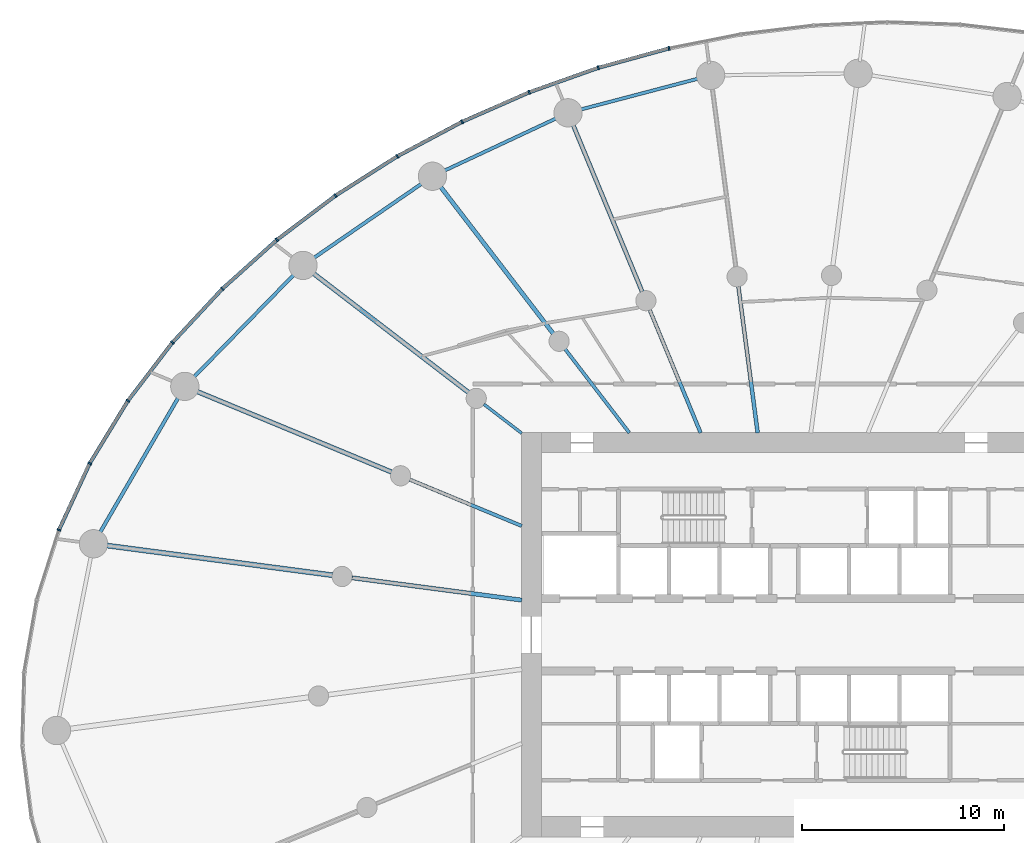
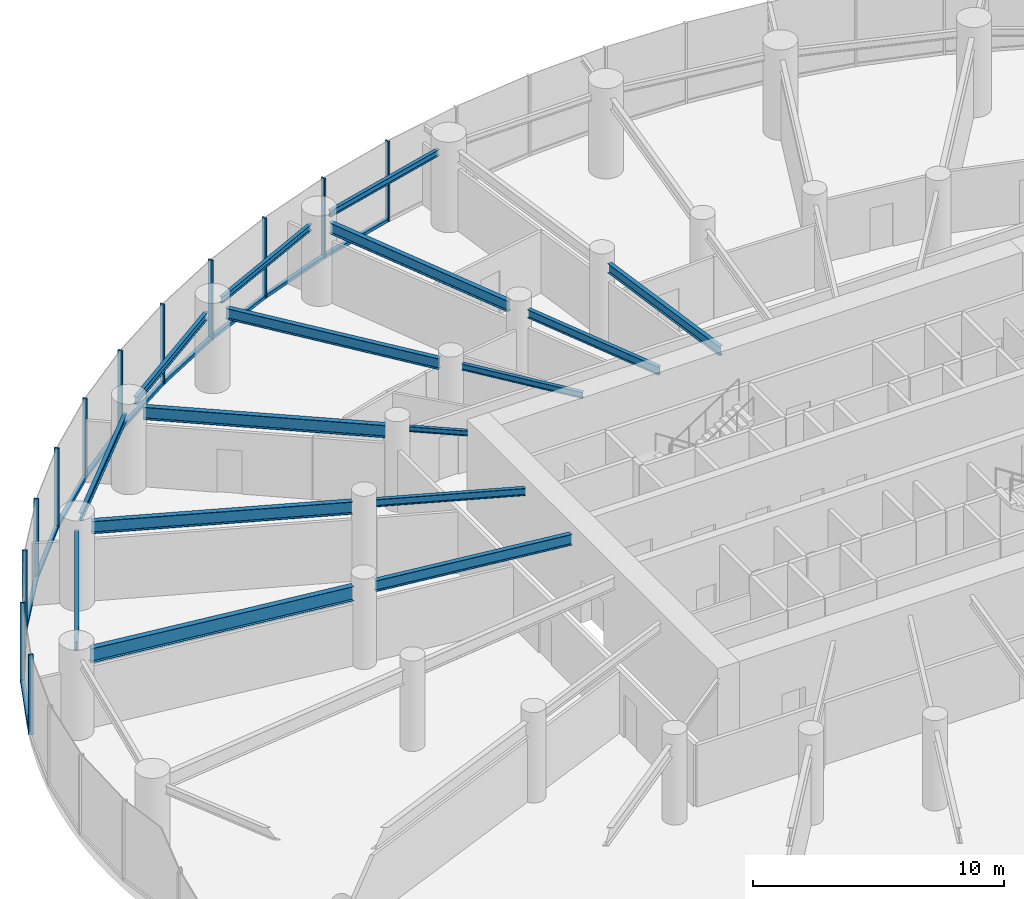
# One storey, part 6 of 18: 23 members, 16 beams, 3 elements without a shape of their own.
"""IFC4 building model written with IfcOpenShell, lengths in metres."""

from ifc_helpers import new_model, si_unit, direction, frame, origin, origin_2d, place, context, subcontext, project, spatial, rectangle, i_section, extrude, source, transform, mapped, material, layer, layer_set, material_profile, profile_set, type_object, element, aggregate, save


model = new_model("IFC4")

# Units and contexts
model_context = context("Model", 3, precision=1e-05, world=origin(), true_north=direction((0.0, 1.0)))
body_context = subcontext(model_context, "Body", "Model", "MODEL_VIEW")
ifc_project = project(units=[si_unit("LENGTHUNIT", "METRE"), si_unit("AREAUNIT", "SQUARE_METRE"), si_unit("VOLUMEUNIT", "CUBIC_METRE"), si_unit("PLANEANGLEUNIT", "RADIAN"), si_unit("MASSUNIT", "GRAM", prefix="KILO")], contexts=[model_context])

# Site, building, storey
site_placement = place(None, origin())
site = spatial("IfcSite", under=ifc_project, at=site_placement, CompositionType="ELEMENT")
building_placement = place(site_placement, origin())
building = spatial("IfcBuilding", under=site, at=building_placement, Name="Spindrift Exchange Tower", CompositionType="ELEMENT")
storey_placement = place(building_placement, frame((0.0, 0.0, 71.0)))
storey = spatial("IfcBuildingStorey", under=building, at=storey_placement, Name="L16", CompositionType="ELEMENT", Elevation=71.0)

# Beams
ifc_material_1 = material(Name="Steel Grade 300", Category="steel")
ifc_material_profile_1 = material_profile(ifc_material_1, i_section(OverallWidth=0.18994140625, OverallDepth=0.45703125, WebThickness=0.009033203125, FlangeThickness=0.014404296875, FilletRadius=0.013916015625, at=origin_2d()), Name="460UB74.6")
ifc_profile_set_1 = profile_set([ifc_material_profile_1], Name="Steel Grade 300")
beam_type_1 = type_object("IfcBeamType", Name="Floor Beam 460UB74.6 Steel Grade 300", PredefinedType="BEAM", material=ifc_profile_set_1)
shared_shape_1 = source(origin(), body_context, "Body", "SweptSolid", [
    extrude(i_section(OverallWidth=0.18994140625, OverallDepth=0.45703125, WebThickness=0.009033203125, FlangeThickness=0.014404296875, FilletRadius=0.013916015625, at=origin_2d()), origin(), (0.0, 0.0, 1.0), 7.3095703125),
])
beam_1_placement = place(storey_placement, frame((50.68603515625, 57.980224609375, 3.67138671875), z_axis=(-0.130527087244, 0.991444743541, 0.0), x_axis=(-0.991444743541, -0.130527087244, 0.0)))
element("IfcBeam", 1, at=beam_1_placement, inside=storey, type_object=beam_type_1, Name="L16 radial beam R07A", PredefinedType="BEAM", context=body_context, shape_type="MappedRepresentation", body=[
    mapped(shared_shape_1, transform((0.0, 0.0, 0.0), scale=1.0)),
])
ifc_material_profile_2 = material_profile(ifc_material_1, i_section(OverallWidth=0.177978515625, OverallDepth=0.406005859375, WebThickness=0.0078125, FlangeThickness=0.0126953125, FilletRadius=0.013916015625, at=origin_2d()), Name="410UB59.7")
ifc_profile_set_2 = profile_set([ifc_material_profile_2], Name="Steel Grade 300")
beam_type_2 = type_object("IfcBeamType", Name="Floor Beam 410UB59.7 Steel Grade 300", PredefinedType="BEAM", material=ifc_profile_set_2)
shared_shape_2 = source(origin(), body_context, "Body", "SweptSolid", [
    extrude(i_section(OverallWidth=0.177978515625, OverallDepth=0.406005859375, WebThickness=0.0078125, FlangeThickness=0.0126953125, FilletRadius=0.013916015625, at=origin_2d()), origin(), (0.0, 0.0, 1.0), 6.594482421875),
])
beam_2_placement = place(storey_placement, frame((47.865478515625, 57.9814453125, 3.697021484375), z_axis=(-0.382692929746, 0.92387559851, 0.0), x_axis=(-0.92387559851, -0.382692929746, 0.0)))
element("IfcBeam", 2, at=beam_2_placement, inside=storey, type_object=beam_type_2, Name="L16 radial beam R08A", PredefinedType="BEAM", context=body_context, shape_type="MappedRepresentation", body=[
    mapped(shared_shape_2, transform((0.0, 0.0, 0.0), scale=1.0)),
])
ifc_material_profile_3 = material_profile(ifc_material_1, i_section(OverallWidth=0.208984375, OverallDepth=0.532958984375, WebThickness=0.01025390625, FlangeThickness=0.015625, FilletRadius=0.013916015625, at=origin_2d()), Name="530UB92.4")
ifc_profile_set_3 = profile_set([ifc_material_profile_3], Name="Steel Grade 300")
beam_type_3 = type_object("IfcBeamType", Name="Floor Beam 530UB92.4 Steel Grade 300", PredefinedType="BEAM", material=ifc_profile_set_3)
shared_shape_3 = source(origin(), body_context, "Body", "SweptSolid", [
    extrude(i_section(OverallWidth=0.208984375, OverallDepth=0.532958984375, WebThickness=0.01025390625, FlangeThickness=0.015625, FilletRadius=0.013916015625, at=origin_2d()), origin(), (0.0, 0.0, 1.0), 8.99658203125),
])
beam_3_placement = place(storey_placement, frame((44.974609375, 64.9609375, 3.633544921875), z_axis=(-0.382685731718, 0.923878580085, 0.0), x_axis=(-0.923878580085, -0.382685731718, 0.0)))
element("IfcBeam", 3, at=beam_3_placement, inside=storey, type_object=beam_type_3, Name="L16 radial beam R08B", PredefinedType="BEAM", context=body_context, shape_type="MappedRepresentation", body=[
    mapped(shared_shape_3, transform((0.0, 0.0, 0.0), scale=1.0)),
])
ifc_material_profile_4 = material_profile(ifc_material_1, i_section(OverallWidth=0.1650390625, OverallDepth=0.303955078125, WebThickness=0.006103515625, FlangeThickness=0.01025390625, FilletRadius=0.011474609375, at=origin_2d()), Name="310UB40.4")
ifc_profile_set_4 = profile_set([ifc_material_profile_4], Name="Steel Grade 300")
beam_type_4 = type_object("IfcBeamType", Name="Floor Beam 310UB40.4 Steel Grade 300", PredefinedType="BEAM", material=ifc_profile_set_4)
shared_shape_4 = source(origin(), body_context, "Body", "SweptSolid", [
    extrude(i_section(OverallWidth=0.1650390625, OverallDepth=0.303955078125, WebThickness=0.006103515625, FlangeThickness=0.01025390625, FilletRadius=0.011474609375, at=origin_2d()), origin(), (0.0, 0.0, 1.0), 5.224609375),
])
beam_4_placement = place(storey_placement, frame((44.3388671875, 57.984130859375, 3.748046875), z_axis=(-0.608741499316, 0.793368632485, 0.0), x_axis=(-0.793368632485, -0.608741499316, 0.0)))
element("IfcBeam", 4, at=beam_4_placement, inside=storey, type_object=beam_type_4, Name="L16 radial beam R09A", PredefinedType="BEAM", context=body_context, shape_type="MappedRepresentation", body=[
    mapped(shared_shape_4, transform((0.0, 0.0, 0.0), scale=1.0)),
])
shared_shape_5 = source(origin(), body_context, "Body", "SweptSolid", [
    extrude(i_section(OverallWidth=0.208984375, OverallDepth=0.532958984375, WebThickness=0.01025390625, FlangeThickness=0.015625, FilletRadius=0.013916015625, at=origin_2d()), origin(), (0.0, 0.0, 1.0), 9.227783203125),
])
beam_5_placement = place(storey_placement, frame((40.573974609375, 62.890625, 3.633544921875), z_axis=(-0.608747534474, 0.79336400175, 0.0), x_axis=(-0.79336400175, -0.608747534474, 0.0)))
element("IfcBeam", 5, at=beam_5_placement, inside=storey, type_object=beam_type_3, Name="L16 radial beam R09B", PredefinedType="BEAM", context=body_context, shape_type="MappedRepresentation", body=[
    mapped(shared_shape_5, transform((0.0, 0.0, 0.0), scale=1.0)),
])
ifc_material_profile_5 = material_profile(ifc_material_1, i_section(OverallWidth=0.14599609375, OverallDepth=0.251953125, WebThickness=0.006103515625, FlangeThickness=0.008544921875, FilletRadius=0.011962890625, at=origin_2d()), Name="250UB31.4")
ifc_profile_set_5 = profile_set([ifc_material_profile_5], Name="Steel Grade 300")
beam_type_5 = type_object("IfcBeamType", Name="Floor Beam 250UB31.4 Steel Grade 300", PredefinedType="BEAM", material=ifc_profile_set_5)
shared_shape_6 = source(origin(), body_context, "Body", "SweptSolid", [
    extrude(i_section(OverallWidth=0.14599609375, OverallDepth=0.251953125, WebThickness=0.006103515625, FlangeThickness=0.008544921875, FilletRadius=0.011962890625, at=origin_2d()), origin(), (0.0, 0.0, 1.0), 2.353759765625),
])
beam_6_placement = place(storey_placement, frame((39.015869140625, 57.963134765625, 3.77392578125), z_axis=(-0.793367573265, 0.608742879787, 0.0), x_axis=(-0.608742879787, -0.793367573265, 0.0)))
element("IfcBeam", 6, at=beam_6_placement, inside=storey, type_object=beam_type_5, Name="L16 radial beam R10A", PredefinedType="BEAM", context=body_context, shape_type="MappedRepresentation", body=[
    mapped(shared_shape_6, transform((0.0, 0.0, 0.0), scale=1.0)),
])
ifc_material_profile_6 = material_profile(ifc_material_1, i_section(OverallWidth=0.22802734375, OverallDepth=0.60693359375, WebThickness=0.01123046875, FlangeThickness=0.017333984375, FilletRadius=0.013916015625, at=origin_2d()), Name="610UB113")
ifc_profile_set_6 = profile_set([ifc_material_profile_6], Name="Steel Grade 300")
beam_type_6 = type_object("IfcBeamType", Name="Floor Beam 610UB113 Steel Grade 300", PredefinedType="BEAM", material=ifc_profile_set_6)
shared_shape_7 = source(origin(), body_context, "Body", "SweptSolid", [
    extrude(i_section(OverallWidth=0.22802734375, OverallDepth=0.60693359375, WebThickness=0.01123046875, FlangeThickness=0.017333984375, FilletRadius=0.013916015625, at=origin_2d()), origin(), (0.0, 0.0, 1.0), 9.73974609375),
])
beam_7_placement = place(storey_placement, frame((36.38671875, 59.98046875, 3.596435546875), z_axis=(-0.793352119621, 0.608763019814, 0.0), x_axis=(-0.608763019814, -0.793352119621, 0.0)))
element("IfcBeam", 7, at=beam_7_placement, inside=storey, type_object=beam_type_6, Name="L16 radial beam R10B", PredefinedType="BEAM", context=body_context, shape_type="MappedRepresentation", body=[
    mapped(shared_shape_7, transform((0.0, 0.0, 0.0), scale=1.0)),
])
ifc_material_profile_7 = material_profile(ifc_material_1, i_section(OverallWidth=0.172119140625, OverallDepth=0.35888671875, WebThickness=0.008056640625, FlangeThickness=0.012939453125, FilletRadius=0.013916015625, at=origin_2d()), Name="360UB56.7")
ifc_profile_set_7 = profile_set([ifc_material_profile_7], Name="Steel Grade 300")
beam_type_7 = type_object("IfcBeamType", Name="Floor Beam 360UB56.7 Steel Grade 300", PredefinedType="BEAM", material=ifc_profile_set_7)
shared_shape_8 = source(origin(), body_context, "Body", "SweptSolid", [
    extrude(i_section(OverallWidth=0.172119140625, OverallDepth=0.35888671875, WebThickness=0.008056640625, FlangeThickness=0.012939453125, FilletRadius=0.013916015625, at=origin_2d()), origin(), (0.0, 0.0, 1.0), 6.004638671875),
])
beam_8_placement = place(storey_placement, frame((39.0185546875, 53.377197265625, 3.720458984375), z_axis=(-0.923882044911, 0.38267736684, 0.0), x_axis=(-0.38267736684, -0.923882044911, 0.0)))
element("IfcBeam", 8, at=beam_8_placement, inside=storey, type_object=beam_type_7, Name="L16 radial beam R11A", PredefinedType="BEAM", context=body_context, shape_type="MappedRepresentation", body=[
    mapped(shared_shape_8, transform((0.0, 0.0, 0.0), scale=1.0)),
])
shared_shape_9 = source(origin(), body_context, "Body", "SweptSolid", [
    extrude(i_section(OverallWidth=0.22802734375, OverallDepth=0.60693359375, WebThickness=0.01123046875, FlangeThickness=0.017333984375, FilletRadius=0.013916015625, at=origin_2d()), origin(), (0.0, 0.0, 1.0), 10.4912109375),
])
beam_9_placement = place(storey_placement, frame((32.583984375, 56.04248046875, 3.596435546875), z_axis=(-0.923885231151, 0.382669674342, 0.0), x_axis=(-0.382669674342, -0.923885231151, 0.0)))
element("IfcBeam", 9, at=beam_9_placement, inside=storey, type_object=beam_type_6, Name="L16 radial beam R11B", PredefinedType="BEAM", context=body_context, shape_type="MappedRepresentation", body=[
    mapped(shared_shape_9, transform((0.0, 0.0, 0.0), scale=1.0)),
])
shared_shape_10 = source(origin(), body_context, "Body", "SweptSolid", [
    extrude(i_section(OverallWidth=0.208984375, OverallDepth=0.532958984375, WebThickness=0.01025390625, FlangeThickness=0.015625, FilletRadius=0.013916015625, at=origin_2d()), origin(), (0.0, 0.0, 1.0), 8.4794921875),
])
beam_10_placement = place(storey_placement, frame((39.019775390625, 49.708984375, 3.633544921875), z_axis=(-0.991446551951, 0.13051335037, 0.0), x_axis=(-0.13051335037, -0.991446551951, 0.0)))
element("IfcBeam", 10, at=beam_10_placement, inside=storey, type_object=beam_type_3, Name="L16 radial beam R12A", PredefinedType="BEAM", context=body_context, shape_type="MappedRepresentation", body=[
    mapped(shared_shape_10, transform((0.0, 0.0, 0.0), scale=1.0)),
])
ifc_material_profile_8 = material_profile(ifc_material_1, i_section(OverallWidth=0.25, OverallDepth=0.699951171875, WebThickness=0.008056640625, FlangeThickness=0.011962890625, at=origin_2d()), Name="700WB115")
ifc_profile_set_8 = profile_set([ifc_material_profile_8], Name="Steel Grade 300")
beam_type_8 = type_object("IfcBeamType", Name="Floor Beam 700WB115 Steel Grade 300", PredefinedType="BEAM", material=ifc_profile_set_8)
shared_shape_11 = source(origin(), body_context, "Body", "SweptSolid", [
    extrude(i_section(OverallWidth=0.25, OverallDepth=0.699951171875, WebThickness=0.008056640625, FlangeThickness=0.011962890625, at=origin_2d()), origin(), (0.0, 0.0, 1.0), 11.34423828125),
])
beam_11_placement = place(storey_placement, frame((29.660888671875, 50.94091796875, 3.550048828125), z_axis=(-0.991444770187, 0.130526884848, 0.0), x_axis=(-0.130526884848, -0.991444770187, 0.0)))
element("IfcBeam", 11, at=beam_11_placement, inside=storey, type_object=beam_type_8, Name="L16 radial beam R12B", PredefinedType="BEAM", context=body_context, shape_type="MappedRepresentation", body=[
    mapped(shared_shape_11, transform((0.0, 0.0, 0.0), scale=1.0)),
])
ifc_material_profile_9 = material_profile(ifc_material_1, i_section(OverallWidth=0.1650390625, OverallDepth=0.303955078125, WebThickness=0.006103515625, FlangeThickness=0.01025390625, FilletRadius=0.011474609375, at=origin_2d()), Name="310UB40.4")
ifc_profile_set_9 = profile_set([ifc_material_profile_9], Name="Steel Grade 300")
beam_type_9 = type_object("IfcBeamType", Name="Edge Beam 310UB40.4 Steel Grade 300", PredefinedType="SPANDREL", material=ifc_profile_set_9)
shared_shape_12 = source(origin(), body_context, "Body", "SweptSolid", [
    extrude(i_section(OverallWidth=0.1650390625, OverallDepth=0.303955078125, WebThickness=0.006103515625, FlangeThickness=0.01025390625, FilletRadius=0.011474609375, at=origin_2d()), origin(), (0.0, 0.0, 1.0), 6.128173828125),
])
beam_12_placement = place(storey_placement, frame((47.79736328125, 75.513916015625, 3.748046875), z_axis=(-0.967147261855, -0.254216785216, 0.0), x_axis=(0.254216785216, -0.967147261855, 0.0)))
element("IfcBeam", 12, at=beam_12_placement, inside=storey, type_object=beam_type_9, Name="L16 edge beam E07", PredefinedType="SPANDREL", context=body_context, shape_type="MappedRepresentation", body=[
    mapped(shared_shape_12, transform((0.0, 0.0, 0.0), scale=1.0)),
])
shared_shape_13 = source(origin(), body_context, "Body", "SweptSolid", [
    extrude(i_section(OverallWidth=0.1650390625, OverallDepth=0.303955078125, WebThickness=0.006103515625, FlangeThickness=0.01025390625, FilletRadius=0.011474609375, at=origin_2d()), origin(), (0.0, 0.0, 1.0), 6.243408203125),
])
beam_13_placement = place(storey_placement, frame((40.7841796875, 73.56298828125, 3.748046875), z_axis=(-0.905791146607, -0.423724437257, 0.0), x_axis=(0.423724437257, -0.905791146607, 0.0)))
element("IfcBeam", 13, at=beam_13_placement, inside=storey, type_object=beam_type_9, Name="L16 edge beam E08", PredefinedType="SPANDREL", context=body_context, shape_type="MappedRepresentation", body=[
    mapped(shared_shape_13, transform((0.0, 0.0, 0.0), scale=1.0)),
])
ifc_material_profile_10 = material_profile(ifc_material_1, i_section(OverallWidth=0.172119140625, OverallDepth=0.35888671875, WebThickness=0.008056640625, FlangeThickness=0.012939453125, FilletRadius=0.013916015625, at=origin_2d()), Name="360UB56.7")
ifc_profile_set_10 = profile_set([ifc_material_profile_10], Name="Steel Grade 300")
beam_type_10 = type_object("IfcBeamType", Name="Edge Beam 360UB56.7 Steel Grade 300", PredefinedType="SPANDREL", material=ifc_profile_set_10)
shared_shape_14 = source(origin(), body_context, "Body", "SweptSolid", [
    extrude(i_section(OverallWidth=0.172119140625, OverallDepth=0.35888671875, WebThickness=0.008056640625, FlangeThickness=0.012939453125, FilletRadius=0.013916015625, at=origin_2d()), origin(), (0.0, 0.0, 1.0), 6.614990234375),
])
beam_14_placement = place(storey_placement, frame((34.125732421875, 70.3427734375, 3.720458984375), z_axis=(-0.823690708835, -0.567039342708, 0.0), x_axis=(0.567039342708, -0.823690708835, 0.0)))
element("IfcBeam", 14, at=beam_14_placement, inside=storey, type_object=beam_type_10, Name="L16 edge beam E09", PredefinedType="SPANDREL", context=body_context, shape_type="MappedRepresentation", body=[
    mapped(shared_shape_14, transform((0.0, 0.0, 0.0), scale=1.0)),
])
shared_shape_15 = source(origin(), body_context, "Body", "SweptSolid", [
    extrude(i_section(OverallWidth=0.172119140625, OverallDepth=0.35888671875, WebThickness=0.008056640625, FlangeThickness=0.012939453125, FilletRadius=0.013916015625, at=origin_2d()), origin(), (0.0, 0.0, 1.0), 7.2041015625),
])
beam_15_placement = place(storey_placement, frame((27.794189453125, 65.847900390625, 3.720458984375), z_axis=(-0.698703626006, -0.715411240481, 0.0), x_axis=(0.715411240481, -0.698703626006, 0.0)))
element("IfcBeam", 15, at=beam_15_placement, inside=storey, type_object=beam_type_10, Name="L16 edge beam E10", PredefinedType="SPANDREL", context=body_context, shape_type="MappedRepresentation", body=[
    mapped(shared_shape_15, transform((0.0, 0.0, 0.0), scale=1.0)),
])
ifc_material_profile_11 = material_profile(ifc_material_1, i_section(OverallWidth=0.177978515625, OverallDepth=0.406005859375, WebThickness=0.0078125, FlangeThickness=0.0126953125, FilletRadius=0.013916015625, at=origin_2d()), Name="410UB59.7")
ifc_profile_set_11 = profile_set([ifc_material_profile_11], Name="Steel Grade 300")
beam_type_11 = type_object("IfcBeamType", Name="Edge Beam 410UB59.7 Steel Grade 300", PredefinedType="SPANDREL", material=ifc_profile_set_11)
shared_shape_16 = source(origin(), body_context, "Body", "SweptSolid", [
    extrude(i_section(OverallWidth=0.177978515625, OverallDepth=0.406005859375, WebThickness=0.0078125, FlangeThickness=0.0126953125, FilletRadius=0.013916015625, at=origin_2d()), origin(), (0.0, 0.0, 1.0), 7.837646484375),
])
beam_16_placement = place(storey_placement, frame((22.064208984375, 59.777587890625, 3.697021484375), z_axis=(-0.50198145655, -0.864878382942, 0.0), x_axis=(0.864878382942, -0.50198145655, 0.0)))
element("IfcBeam", 16, at=beam_16_placement, inside=storey, type_object=beam_type_11, Name="L16 edge beam E11", PredefinedType="SPANDREL", context=body_context, shape_type="MappedRepresentation", body=[
    mapped(shared_shape_16, transform((0.0, 0.0, 0.0), scale=1.0)),
])

# Curtain wall, member
ifc_material_2 = material(Name="Fritted laminated glass with bronze frame", Category="glass")
ifc_layer = layer(ifc_material_2, 0.199951171875)
ifc_layer_set = layer_set([ifc_layer], Name="ZONE 1 BRONZE FRITTED WALL")
curtain_wall_type = type_object("IfcCurtainWallType", Name="ZONE 1 BRONZE FRITTED WALL", PredefinedType="NOTDEFINED", material=ifc_layer_set)
curtain_wall_1_placement = place(storey_placement, origin())
curtain_wall_1 = element("IfcCurtainWall", 17, at=curtain_wall_1_placement, inside=storey, type_object=curtain_wall_type, Name="L16 Zone 1 Bronze Fritted Wall run 5", PredefinedType="NOTDEFINED")
ifc_material_3 = material(Name="Bronze anodised aluminium", Category="aluminium")
ifc_material_profile_12 = material_profile(ifc_material_3, rectangle(XDim=0.179931640625, YDim=0.14990234375, at=origin_2d()), Name="ZONE 1 BRONZE FRITTED WALL TRANSOM 180X150")
ifc_profile_set_12 = profile_set([ifc_material_profile_12], Name="Bronze anodised aluminium")
member_type_1 = type_object("IfcMemberType", Name="ZONE 1 BRONZE FRITTED WALL TRANSOM 180X150", PredefinedType="USERDEFINED", material=ifc_profile_set_12)
shared_shape_17 = source(origin(), body_context, "Body", "SweptSolid", [
    extrude(rectangle(XDim=0.179931640625, YDim=0.14990234375, at=origin_2d()), origin(), (0.0, 0.0, 1.0), 3.546142578125),
])
member_1_placement = place(storey_placement, frame((17.63427734375, 56.43408203125, 0.074951171875), z_axis=(-0.419686760842, -0.907669005075, 0.0), x_axis=(0.907669005075, -0.419686760842, 0.0)))
member_1 = element("IfcMember", 18, at=member_1_placement, type_object=member_type_1, Name="L16 transom CW-1.25", ObjectType="TRANSOM", PredefinedType="USERDEFINED", context=body_context, shape_type="MappedRepresentation", body=[
    mapped(shared_shape_17, transform((0.0, 0.0, 0.0), scale=1.0)),
])

curtain_wall_2_placement = place(storey_placement, origin())
curtain_wall_2 = element("IfcCurtainWall", 19, at=curtain_wall_2_placement, inside=storey, type_object=curtain_wall_type, Name="L16 Zone 1 Bronze Fritted Wall run 4", PredefinedType="NOTDEFINED")
shared_shape_18 = source(origin(), body_context, "Body", "SweptSolid", [
    extrude(rectangle(XDim=0.179931640625, YDim=0.14990234375, at=origin_2d()), origin(), (0.0, 0.0, 1.0), 3.546875),
])
member_2_placement = place(storey_placement, frame((24.182861328125, 65.075439453125, 0.074951171875), z_axis=(-0.681037002258, -0.732249002427, 0.0), x_axis=(0.732249002427, -0.681037002258, 0.0)))
member_2 = element("IfcMember", 20, at=member_2_placement, type_object=member_type_1, Name="L16 transom CW-1.22", ObjectType="TRANSOM", PredefinedType="USERDEFINED", context=body_context, shape_type="MappedRepresentation", body=[
    mapped(shared_shape_18, transform((0.0, 0.0, 0.0), scale=1.0)),
])

# Curtain wall, members
curtain_wall_3_placement = place(storey_placement, origin())
curtain_wall_3 = element("IfcCurtainWall", 21, at=curtain_wall_3_placement, inside=storey, type_object=curtain_wall_type, Name="L16 Zone 1 Bronze Fritted Wall run 3", PredefinedType="NOTDEFINED")
shared_shape_19 = source(origin(), body_context, "Body", "SweptSolid", [
    extrude(rectangle(XDim=0.179931640625, YDim=0.14990234375, at=origin_2d()), origin(), (0.0, 0.0, 1.0), 3.54736328125),
])
member_3_placement = place(storey_placement, frame((46.265380859375, 76.986328125, 0.074951171875), z_axis=(-0.964333726061, -0.264689374139, 0.0), x_axis=(0.264689374139, -0.964333726061, 0.0)))
member_3 = element("IfcMember", 22, at=member_3_placement, type_object=member_type_1, Name="L16 transom CW-1.15", ObjectType="TRANSOM", PredefinedType="USERDEFINED", context=body_context, shape_type="MappedRepresentation", body=[
    mapped(shared_shape_19, transform((0.0, 0.0, 0.0), scale=1.0)),
])
member_4_placement = place(storey_placement, frame((39.3505859375, 74.80810546875, 0.074951171875), z_axis=(-0.915427642824, -0.40248258441, 0.0), x_axis=(0.40248258441, -0.915427642824, 0.0)))
member_4 = element("IfcMember", 23, at=member_4_placement, type_object=member_type_1, Name="L16 transom CW-1.17", ObjectType="TRANSOM", PredefinedType="USERDEFINED", context=body_context, shape_type="MappedRepresentation", body=[
    mapped(shared_shape_19, transform((0.0, 0.0, 0.0), scale=1.0)),
])
member_5_placement = place(storey_placement, frame((36.03125, 73.345458984375, 0.074951171875), z_axis=(-0.882710845736, -0.469916548783, 0.0), x_axis=(0.469916548783, -0.882710845736, 0.0)))
member_5 = element("IfcMember", 24, at=member_5_placement, type_object=member_type_1, Name="L16 transom CW-1.18", ObjectType="TRANSOM", PredefinedType="USERDEFINED", context=body_context, shape_type="MappedRepresentation", body=[
    mapped(shared_shape_19, transform((0.0, 0.0, 0.0), scale=1.0)),
])

# Member
member_6_placement = place(storey_placement, frame((32.830810546875, 71.63818359375, 0.074951171875), z_axis=(-0.843862640229, -0.536559264597, 0.0), x_axis=(0.536559264597, -0.843862640229, 0.0)))
member_6 = element("IfcMember", 25, at=member_6_placement, type_object=member_type_1, Name="L16 transom CW-1.19", ObjectType="TRANSOM", PredefinedType="USERDEFINED", context=body_context, shape_type="MappedRepresentation", body=[
    mapped(shared_shape_19, transform((0.0, 0.0, 0.0), scale=1.0)),
])

member_7_placement = place(storey_placement, frame((29.771728515625, 69.689453125, 0.074951171875), z_axis=(-0.798021779956, -0.602628607615, 0.0), x_axis=(0.602628607615, -0.798021779956, 0.0)))
member_7 = element("IfcMember", 26, at=member_7_placement, type_object=member_type_1, Name="L16 transom CW-1.20", ObjectType="TRANSOM", PredefinedType="USERDEFINED", context=body_context, shape_type="MappedRepresentation", body=[
    mapped(shared_shape_19, transform((0.0, 0.0, 0.0), scale=1.0)),
])

shared_shape_20 = source(origin(), body_context, "Body", "SweptSolid", [
    extrude(rectangle(XDim=0.179931640625, YDim=0.14990234375, at=origin_2d()), origin(), (0.0, 0.0, 1.0), 3.547119140625),
])
member_8_placement = place(storey_placement, frame((26.87939453125, 67.5009765625, 0.074951171875), z_axis=(-0.744176484206, -0.667983053942, 0.0), x_axis=(0.667983053942, -0.744176484206, 0.0)))
member_8 = element("IfcMember", 27, at=member_8_placement, type_object=member_type_1, Name="L16 transom CW-1.21", ObjectType="TRANSOM", PredefinedType="USERDEFINED", context=body_context, shape_type="MappedRepresentation", body=[
    mapped(shared_shape_20, transform((0.0, 0.0, 0.0), scale=1.0)),
])

shared_shape_21 = source(origin(), body_context, "Body", "SweptSolid", [
    extrude(rectangle(XDim=0.179931640625, YDim=0.14990234375, at=origin_2d()), origin(), (0.0, 0.0, 1.0), 3.546630859375),
])
member_9_placement = place(storey_placement, frame((21.7158203125, 62.4169921875, 0.074951171875), z_axis=(-0.607025862027, -0.794682076575, 0.0), x_axis=(0.794682076575, -0.607025862027, 0.0)))
member_9 = element("IfcMember", 28, at=member_9_placement, type_object=member_type_1, Name="L16 transom CW-1.23", ObjectType="TRANSOM", PredefinedType="USERDEFINED", context=body_context, shape_type="MappedRepresentation", body=[
    mapped(shared_shape_21, transform((0.0, 0.0, 0.0), scale=1.0)),
])

member_10_placement = place(storey_placement, frame((19.517822265625, 59.53271484375, 0.074951171875), z_axis=(-0.520486250511, -0.853870050435, 0.0), x_axis=(0.853870050435, -0.520486250511, 0.0)))
member_10 = element("IfcMember", 29, at=member_10_placement, type_object=member_type_1, Name="L16 transom CW-1.24", ObjectType="TRANSOM", PredefinedType="USERDEFINED", context=body_context, shape_type="MappedRepresentation", body=[
    mapped(shared_shape_21, transform((0.0, 0.0, 0.0), scale=1.0)),
])

shared_shape_22 = source(origin(), body_context, "Body", "SweptSolid", [
    extrude(rectangle(XDim=0.179931640625, YDim=0.14990234375, at=origin_2d()), origin(), (0.0, 0.0, 1.0), 3.547607421875),
])
member_11_placement = place(storey_placement, frame((42.768310546875, 76.0234375, 0.074951171875), z_axis=(-0.942482305099, -0.33425604643, 0.0), x_axis=(0.33425604643, -0.942482305099, 0.0)))
member_11 = element("IfcMember", 30, at=member_11_placement, type_object=member_type_1, Name="L16 transom CW-1.16", ObjectType="TRANSOM", PredefinedType="USERDEFINED", context=body_context, shape_type="MappedRepresentation", body=[
    mapped(shared_shape_22, transform((0.0, 0.0, 0.0), scale=1.0)),
])

ifc_material_profile_13 = material_profile(ifc_material_3, rectangle(XDim=0.080078125, YDim=0.199951171875, at=origin_2d()), Name="ZONE 1 BRONZE FRITTED WALL MULLION 80X200")
ifc_profile_set_13 = profile_set([ifc_material_profile_13], Name="Bronze anodised aluminium")
member_type_2 = type_object("IfcMemberType", Name="ZONE 1 BRONZE FRITTED WALL MULLION 80X200", PredefinedType="MULLION", material=ifc_profile_set_13)
shared_shape_23 = source(origin(), body_context, "Body", "SweptSolid", [
    extrude(rectangle(XDim=0.080078125, YDim=0.199951171875, at=origin_2d()), origin(), (0.0, 0.0, 1.0), 3.89990234375),
])
member_12_placement = place(storey_placement, frame((46.303955078125, 76.9970703125, 0.0), z_axis=(0.0, 0.0, 1.0), x_axis=(-0.973347078828, -0.229337009958, 0.0)))
member_12 = element("IfcMember", 31, at=member_12_placement, type_object=member_type_2, Name="L16 mullion CW-1.15", PredefinedType="MULLION", context=body_context, shape_type="MappedRepresentation", body=[
    mapped(shared_shape_23, transform((0.0, 0.0, 0.0), scale=1.0)),
])

member_13_placement = place(storey_placement, frame((42.805908203125, 76.03662109375, 0.0), z_axis=(0.0, 0.0, 1.0), x_axis=(-0.954037737087, -0.299686496549, 0.0)))
member_13 = element("IfcMember", 32, at=member_13_placement, type_object=member_type_2, Name="L16 mullion CW-1.16", PredefinedType="MULLION", context=body_context, shape_type="MappedRepresentation", body=[
    mapped(shared_shape_23, transform((0.0, 0.0, 0.0), scale=1.0)),
])

member_14_placement = place(storey_placement, frame((39.38720703125, 74.82421875, 0.0), z_axis=(0.0, 0.0, 1.0), x_axis=(-0.929577226438, -0.368627427205, 0.0)))
member_14 = element("IfcMember", 33, at=member_14_placement, type_object=member_type_2, Name="L16 mullion CW-1.17", PredefinedType="MULLION", context=body_context, shape_type="MappedRepresentation", body=[
    mapped(shared_shape_23, transform((0.0, 0.0, 0.0), scale=1.0)),
])

member_15_placement = place(storey_placement, frame((36.066650390625, 73.3642578125, 0.0), z_axis=(0.0, 0.0, 1.0), x_axis=(-0.899698839493, -0.436511166197, 0.0)))
member_15 = element("IfcMember", 34, at=member_15_placement, type_object=member_type_2, Name="L16 mullion CW-1.18", PredefinedType="MULLION", context=body_context, shape_type="MappedRepresentation", body=[
    mapped(shared_shape_23, transform((0.0, 0.0, 0.0), scale=1.0)),
])

aggregate(curtain_wall_3, [member_12, member_3, member_13, member_11, member_14, member_4, member_15, member_5])

member_16_placement = place(storey_placement, frame((32.864501953125, 71.65966796875, 0.0), z_axis=(0.0, 0.0, 1.0), x_axis=(-0.863937971718, -0.503598233738, 0.0)))
member_16 = element("IfcMember", 35, at=member_16_placement, type_object=member_type_2, Name="L16 mullion CW-1.19", PredefinedType="MULLION", context=body_context, shape_type="MappedRepresentation", body=[
    mapped(shared_shape_23, transform((0.0, 0.0, 0.0), scale=1.0)),
])

member_17_placement = place(storey_placement, frame((29.8037109375, 69.71337890625, 0.0), z_axis=(0.0, 0.0, 1.0), x_axis=(-0.821606734816, -0.5700547108, 0.0)))
member_17 = element("IfcMember", 36, at=member_17_placement, type_object=member_type_2, Name="L16 mullion CW-1.20", PredefinedType="MULLION", context=body_context, shape_type="MappedRepresentation", body=[
    mapped(shared_shape_23, transform((0.0, 0.0, 0.0), scale=1.0)),
])

member_18_placement = place(storey_placement, frame((26.9091796875, 67.527587890625, 0.0), z_axis=(0.0, 0.0, 1.0), x_axis=(-0.771785533168, -0.635882922237, 0.0)))
member_18 = element("IfcMember", 37, at=member_18_placement, type_object=member_type_2, Name="L16 mullion CW-1.21", PredefinedType="MULLION", context=body_context, shape_type="MappedRepresentation", body=[
    mapped(shared_shape_23, transform((0.0, 0.0, 0.0), scale=1.0)),
])

member_19_placement = place(storey_placement, frame((24.2099609375, 65.104736328125, 0.0), z_axis=(0.0, 0.0, 1.0), x_axis=(-0.713316465484, -0.700842079265, 0.0)))
member_19 = element("IfcMember", 38, at=member_19_placement, type_object=member_type_2, Name="L16 mullion CW-1.22", PredefinedType="MULLION", context=body_context, shape_type="MappedRepresentation", body=[
    mapped(shared_shape_23, transform((0.0, 0.0, 0.0), scale=1.0)),
])

member_20_placement = place(storey_placement, frame((21.739990234375, 62.448974609375, 0.0), z_axis=(0.0, 0.0, 1.0), x_axis=(-0.644765689411, -0.764380275621, 0.0)))
member_20 = element("IfcMember", 39, at=member_20_placement, type_object=member_type_2, Name="L16 mullion CW-1.23", PredefinedType="MULLION", context=body_context, shape_type="MappedRepresentation", body=[
    mapped(shared_shape_23, transform((0.0, 0.0, 0.0), scale=1.0)),
])

member_21_placement = place(storey_placement, frame((19.53857421875, 59.56689453125, 0.0), z_axis=(0.0, 0.0, 1.0), x_axis=(-0.564520664682, -0.82541893554, 0.0)))
member_21 = element("IfcMember", 40, at=member_21_placement, type_object=member_type_2, Name="L16 mullion CW-1.24", PredefinedType="MULLION", context=body_context, shape_type="MappedRepresentation", body=[
    mapped(shared_shape_23, transform((0.0, 0.0, 0.0), scale=1.0)),
])

aggregate(curtain_wall_2, [member_16, member_6, member_17, member_7, member_18, member_8, member_19, member_2, member_20, member_9, member_21, member_10])

member_22_placement = place(storey_placement, frame((17.651123046875, 56.47021484375, 0.0), z_axis=(0.0, 0.0, 1.0), x_axis=(-0.47087900573, -0.882197802062, 0.0)))
member_22 = element("IfcMember", 41, at=member_22_placement, type_object=member_type_2, Name="L16 mullion CW-1.25", PredefinedType="MULLION", context=body_context, shape_type="MappedRepresentation", body=[
    mapped(shared_shape_23, transform((0.0, 0.0, 0.0), scale=1.0)),
])

member_23_placement = place(storey_placement, frame((16.129150390625, 53.17919921875, 0.0), z_axis=(0.0, 0.0, 1.0), x_axis=(-0.362367186684, -0.932035418863, 0.0)))
member_23 = element("IfcMember", 42, at=member_23_placement, type_object=member_type_2, Name="L16 mullion CW-1.26", PredefinedType="MULLION", context=body_context, shape_type="MappedRepresentation", body=[
    mapped(shared_shape_23, transform((0.0, 0.0, 0.0), scale=1.0)),
])

aggregate(curtain_wall_1, [member_22, member_1, member_23])

save(model, "model.ifc")
